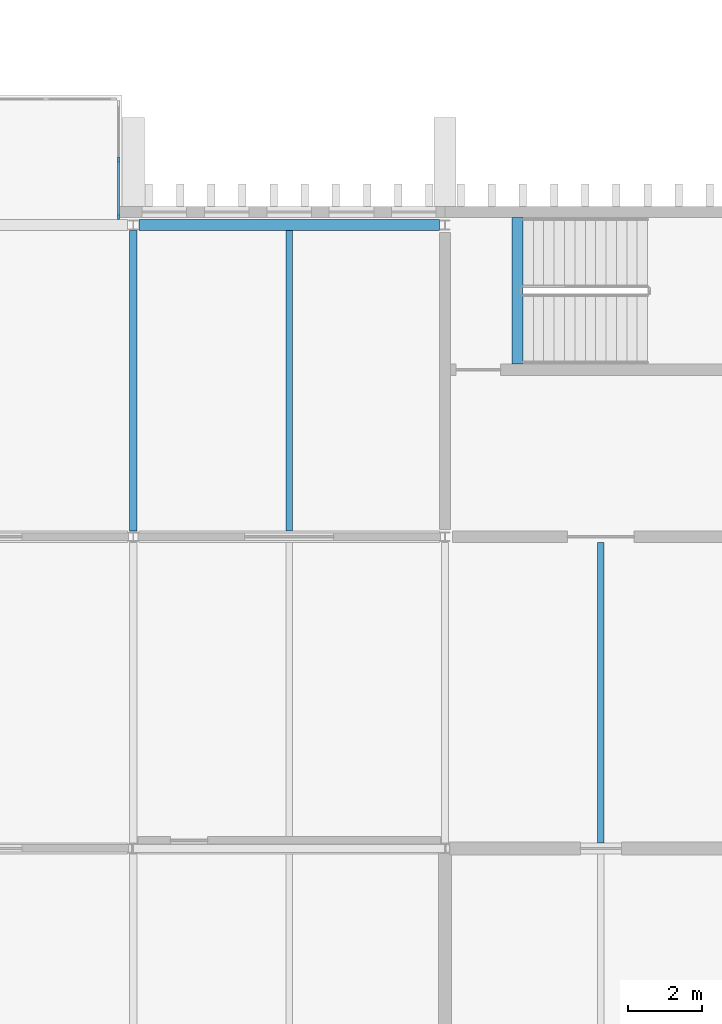
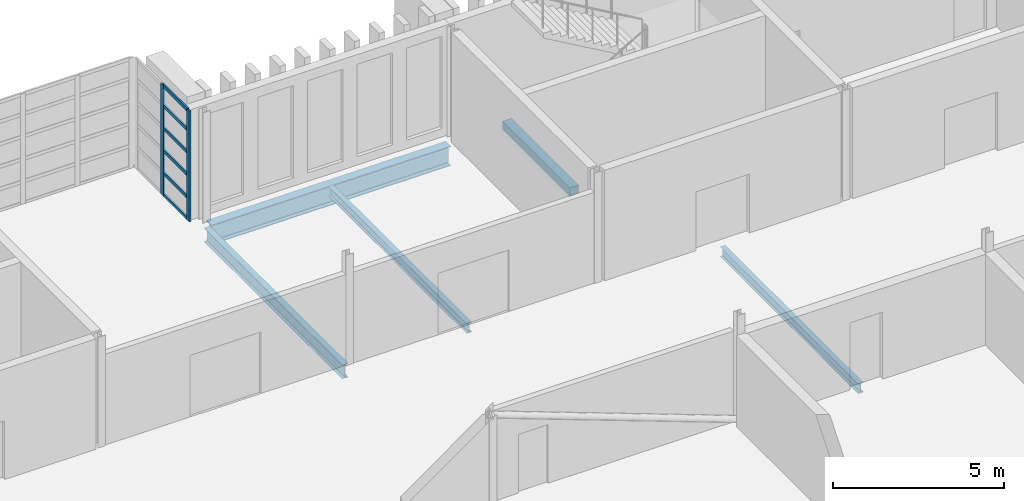
# One storey, part 17 of 88: 8 members, 5 beams, 1 element without a shape of its own.
"""IFC4 building model written with IfcOpenShell, lengths in metres."""

import ifcopenshell
import ifcopenshell.guid

model = None  # the IFC model being written
_history = None  # IfcOwnerHistory: only IFC2X3 demands one
_inside = {}  # id of a spatial element -> (the spatial element, [elements in it])
_under = {}  # id of a project, library or spatial element -> (it, [spatial elements below it])
_declared = {}  # id of a project -> (the project, [libraries it declares])
_typed = {}  # id of a type object -> (the type object, [elements of that type])
_made_of = {}  # id of a material, layer set ... -> (it, [elements and type objects made of it])


def new_model(schema):
    """Start an empty IFC model of exactly this schema.

    Asked for "IFC4X3", IfcOpenShell would pick the latest addendum, in which some entities
    have other attributes; the version numbers below select the first issue.
    IFC2X3 requires an IfcOwnerHistory on every rooted entity: one is made here for all.
    """
    global model, _history
    if schema == "IFC4X3":
        model = ifcopenshell.file(schema_version=(4, 3, 0, 0))
    else:
        model = ifcopenshell.file(schema=schema)
    _inside.clear()
    _under.clear()
    _declared.clear()
    _typed.clear()
    _made_of.clear()
    _history = None
    if model.schema == "IFC2X3":
        org = make("IfcOrganization", Name="unknown")
        user = make(
            "IfcPersonAndOrganization",
            ThePerson=make("IfcPerson", FamilyName="unknown"),
            TheOrganization=org,
        )
        app = make(
            "IfcApplication",
            ApplicationDeveloper=org,
            Version="unknown",
            ApplicationFullName="unknown",
            ApplicationIdentifier="unknown",
        )
        _history = make(
            "IfcOwnerHistory",
            OwningUser=user,
            OwningApplication=app,
            ChangeAction="ADDED",
            CreationDate=0,
        )
    return model


def make(cls, **values):
    """One entity of the class cls with the attributes given. An attribute that is None is left unset."""
    return model.create_entity(
        cls, **{name: value for name, value in values.items() if value is not None}
    )


def rooted(cls, **values):
    """An entity with a GlobalId (a new one), such as an element, a storey or a relation."""
    return make(cls, GlobalId=ifcopenshell.guid.new(), OwnerHistory=_history, **values)


def si_unit(unit_type, name, prefix=None):
    """IfcSIUnit, for example si_unit("LENGTHUNIT", "METRE", prefix="MILLI")."""
    return make("IfcSIUnit", UnitType=unit_type, Prefix=prefix, Name=name)


def assignment(units):
    """IfcUnitAssignment: the units of a project."""
    return None if units is None else make("IfcUnitAssignment", Units=units)


def point(xyz):
    """IfcCartesianPoint."""
    return None if xyz is None else make("IfcCartesianPoint", Coordinates=xyz)


def direction(xyz):
    """IfcDirection."""
    return None if xyz is None else make("IfcDirection", DirectionRatios=xyz)


def frame(location, z_axis=None, x_axis=None):
    """IfcAxis2Placement3D, a coordinate frame: its origin and axes. An axis left out is left unset."""
    return make(
        "IfcAxis2Placement3D",
        Location=point(location),
        Axis=direction(z_axis),
        RefDirection=direction(x_axis),
    )


def frame_2d(location, x_axis=None):
    """IfcAxis2Placement2D, a coordinate frame in the plane: its origin and x axis."""
    return make(
        "IfcAxis2Placement2D", Location=point(location), RefDirection=direction(x_axis)
    )


def origin():
    """The frame at (0, 0, 0) with its axes left unset."""
    return frame((0.0, 0.0, 0.0))


def origin_2d():
    """The frame at (0, 0) in the plane with its x axis left unset."""
    return frame_2d((0.0, 0.0))


def place(relative_to, where):
    """IfcLocalPlacement: puts the frame where relative to a parent placement (None: the world)."""
    return make(
        "IfcLocalPlacement", PlacementRelTo=relative_to, RelativePlacement=where
    )


def context(
    kind, dimensions, precision=None, world=None, true_north=None, identifier=None
):
    """IfcGeometricRepresentationContext, for example the 3D "Model" context."""
    return make(
        "IfcGeometricRepresentationContext",
        ContextIdentifier=identifier,
        ContextType=kind,
        CoordinateSpaceDimension=dimensions,
        Precision=precision,
        WorldCoordinateSystem=world,
        TrueNorth=true_north,
    )


def subcontext(parent, identifier, kind, view, scale=None):
    """IfcGeometricRepresentationSubContext, for example "Body" below "Model"."""
    return make(
        "IfcGeometricRepresentationSubContext",
        ContextIdentifier=identifier,
        ContextType=kind,
        ParentContext=parent,
        TargetScale=scale,
        TargetView=view,
    )


def project(units=None, contexts=None):
    """IfcProject with its units and contexts."""
    return rooted(
        "IfcProject",
        Name="project",
        RepresentationContexts=contexts,
        UnitsInContext=assignment(units),
    )


def spatial(cls, under=None, at=None, **own):
    """A site, building, storey or space (cls), placed at a placement, below another one or the project."""
    s = rooted(cls, ObjectPlacement=at, **own)
    if under is not None:
        _under.setdefault(under.id(), (under, []))[1].append(s)
    return s


def profile(cls, at=None, kind="AREA", **sizes):
    """A parametric profile (cls). Its sizes go by their IFC names, for example OverallWidth=200.0."""
    return make(cls, ProfileType=kind, Position=at, **sizes)


def rectangle(**sizes):
    """IfcRectangleProfileDef."""
    return profile("IfcRectangleProfileDef", **sizes)


def i_section(**sizes):
    """IfcIShapeProfileDef."""
    return profile("IfcIShapeProfileDef", **sizes)


def extrude(swept, where, along, depth):
    """IfcExtrudedAreaSolid: the profile swept, set in the frame where, extruded along a direction by depth."""
    return make(
        "IfcExtrudedAreaSolid",
        SweptArea=swept,
        Position=where,
        ExtrudedDirection=direction(along),
        Depth=depth,
    )


def shape(context_of_items, identifier, shape_type, items):
    """IfcShapeRepresentation: the items that make up one representation, for example the "Body"."""
    return make(
        "IfcShapeRepresentation",
        ContextOfItems=context_of_items,
        RepresentationIdentifier=identifier,
        RepresentationType=shape_type,
        Items=items,
    )


def material(Name=None, Category=None):
    """IfcMaterial."""
    return make("IfcMaterial", Name=Name, Category=Category)


def layer(
    of_material, thickness, ventilated=None, Name=None, Category=None, Priority=None
):
    """IfcMaterialLayer: one layer of a wall or slab, of a material (None: an air gap)."""
    return make(
        "IfcMaterialLayer",
        Material=of_material,
        LayerThickness=thickness,
        IsVentilated=ventilated,
        Name=Name,
        Category=Category,
        Priority=Priority,
    )


def layer_set(layers, Name=None):
    """IfcMaterialLayerSet."""
    return make("IfcMaterialLayerSet", MaterialLayers=layers, LayerSetName=Name)


def material_profile(
    of_material, cross_section, Name=None, Category=None, Priority=None
):
    """IfcMaterialProfile: a cross section and its material."""
    return make(
        "IfcMaterialProfile",
        Name=Name,
        Material=of_material,
        Profile=cross_section,
        Priority=Priority,
        Category=Category,
    )


def profile_set(profiles, Name=None, composite=None):
    """IfcMaterialProfileSet."""
    return make(
        "IfcMaterialProfileSet",
        Name=Name,
        MaterialProfiles=profiles,
        CompositeProfile=composite,
    )


def made_of(thing, what):
    """Note that an element or type object is made of a material, layer set ...; save() writes the relation."""
    if what is not None:
        _made_of.setdefault(what.id(), (what, []))[1].append(thing)
    return thing


def type_object(cls, material=None, **own):
    """A type object (cls), such as IfcWallType, which elements share."""
    return made_of(rooted(cls, **own), material)


def element(
    cls,
    number,
    at=None,
    inside=None,
    cuts=None,
    type_object=None,
    material=None,
    context=None,
    identifier="Body",
    shape_type=None,
    held_by="IfcProductDefinitionShape",
    body=None,
    shapes=None,
    **own,
):
    """One element of the class cls, such as IfcWall. Its Tag is "e" and its number.

    at: its placement. inside: the storey or other place that contains it. cuts: it is an
    opening in that element (IfcRelVoidsElement). A single representation is given by context,
    identifier, shape_type and body (its items); several are given by shapes. held_by: the class
    of the entity that holds the representations. save() writes the other relations.
    """
    e = rooted(cls, Tag="e%d" % number, ObjectPlacement=at, **own)
    if body is not None:
        shapes = [shape(context, identifier, shape_type, body)]
    if shapes is not None:
        e.Representation = make(held_by, Representations=shapes)
    if inside is not None:
        _inside.setdefault(inside.id(), (inside, []))[1].append(e)
    if cuts is not None:
        rooted(
            "IfcRelVoidsElement", RelatingBuildingElement=cuts, RelatedOpeningElement=e
        )
    if type_object is not None:
        _typed.setdefault(type_object.id(), (type_object, []))[1].append(e)
    return made_of(e, material)


def aggregate(whole, parts):
    """IfcRelAggregates: a whole, such as a stair, and the parts it consists of."""
    return rooted("IfcRelAggregates", RelatingObject=whole, RelatedObjects=parts)


def save(model, path):
    """Write the relations noted so far, then the file.

    IfcRelAggregates (storeys below a building ...), IfcRelContainedInSpatialStructure (elements
    in a storey), IfcRelDefinesByType, IfcRelAssociatesMaterial and IfcRelDeclares: one each for
    every whole, place, type object, material and project.
    """
    for whole, parts in _under.values():
        aggregate(whole, parts)
    for where, things in _inside.values():
        rooted(
            "IfcRelContainedInSpatialStructure",
            RelatedElements=things,
            RelatingStructure=where,
        )
    for kind, things in _typed.values():
        rooted("IfcRelDefinesByType", RelatedObjects=things, RelatingType=kind)
    for what, things in _made_of.values():
        rooted("IfcRelAssociatesMaterial", RelatedObjects=things, RelatingMaterial=what)
    for by, libraries in _declared.values():
        rooted("IfcRelDeclares", RelatingContext=by, RelatedDefinitions=libraries)
    model.write(path)


model = new_model("IFC4")

# Units and contexts
model_context = context("Model", 3, precision=1e-05, world=origin(), true_north=direction((0.0, 1.0)))
body_context = subcontext(model_context, "Body", "Model", "MODEL_VIEW")
ifc_project = project(units=[si_unit("LENGTHUNIT", "METRE"), si_unit("AREAUNIT", "SQUARE_METRE"), si_unit("VOLUMEUNIT", "CUBIC_METRE"), si_unit("PLANEANGLEUNIT", "RADIAN"), si_unit("MASSUNIT", "GRAM", prefix="KILO")], contexts=[model_context])

# Site, building, storey
site_placement = place(None, origin())
site = spatial("IfcSite", under=ifc_project, at=site_placement, CompositionType="ELEMENT")
building_placement = place(site_placement, origin())
building = spatial("IfcBuilding", under=site, at=building_placement, Name="Cresset Court Congress Hotel", CompositionType="ELEMENT")
storey_placement = place(building_placement, frame((0.0, 0.0, 14.39990234375)))
storey = spatial("IfcBuildingStorey", under=building, at=storey_placement, Name="L03", CompositionType="ELEMENT", Elevation=14.39990234375)

# Curtain wall, members
ifc_material_1 = material(Name="Aluminium frame with double glazing", Category="aluminium")
ifc_layer = layer(ifc_material_1, 0.199951171875)
ifc_layer_set = layer_set([ifc_layer], Name="Glazed box curtain wall 1680 module")
curtain_wall_type = type_object("IfcCurtainWallType", Name="Glazed box curtain wall 1680 module", PredefinedType="NOTDEFINED", material=ifc_layer_set)
curtain_wall_placement = place(storey_placement, origin())
curtain_wall = element("IfcCurtainWall", 1, at=curtain_wall_placement, inside=storey, type_object=curtain_wall_type, Name="Glazed box N0325 side", PredefinedType="NOTDEFINED")
ifc_material_2 = material(Name="Aluminium", Category="aluminium")
ifc_material_profile_1 = material_profile(ifc_material_2, rectangle(XDim=0.06005859375, YDim=0.159912109375, at=origin_2d()), Name="Box mullion 60x160")
ifc_profile_set_1 = profile_set([ifc_material_profile_1], Name="Aluminium")
member_type_1 = type_object("IfcMemberType", Name="Box mullion 60x160", PredefinedType="MULLION", material=ifc_profile_set_1)
member_1_placement = place(storey_placement, frame((24.800048828125, 25.429931640625, 0.0), z_axis=(0.0, 0.0, 1.0), x_axis=(-1.0, 0.0, 0.0)))
member_1 = element("IfcMember", 2, at=member_1_placement, type_object=member_type_1, Name="B-X1 mullion 1", PredefinedType="MULLION", context=body_context, shape_type="SweptSolid", body=[
    extrude(rectangle(XDim=0.06005859375, YDim=0.159912109375, at=origin_2d()), origin(), (0.0, 0.0, 1.0), 3.9501953125),
])
member_2_placement = place(storey_placement, frame((24.800048828125, 26.949951171875, 0.0), z_axis=(0.0, 0.0, 1.0), x_axis=(-1.0, 0.0, 0.0)))
member_2 = element("IfcMember", 3, at=member_2_placement, type_object=member_type_1, Name="B-X1 mullion 2", PredefinedType="MULLION", context=body_context, shape_type="SweptSolid", body=[
    extrude(rectangle(XDim=0.06005859375, YDim=0.159912109375, at=origin_2d()), origin(), (0.0, 0.0, 1.0), 3.9501953125),
])
ifc_material_3 = material(Name="Aluminium", Category="aluminium")
ifc_material_profile_2 = material_profile(ifc_material_3, rectangle(XDim=0.06005859375, YDim=0.1201171875, at=origin_2d()), Name="Box transom 60x120")
ifc_profile_set_2 = profile_set([ifc_material_profile_2], Name="Aluminium")
member_type_2 = type_object("IfcMemberType", Name="Box transom 60x120", PredefinedType="USERDEFINED", material=ifc_profile_set_2)
member_3_placement = place(storey_placement, frame((24.800048828125, 25.4599609375, 0.030029296875), z_axis=(0.0, 1.0, 0.0), x_axis=(-1.0, 0.0, 0.0)))
member_3 = element("IfcMember", 4, at=member_3_placement, type_object=member_type_2, Name="B-X1 transom 1.1", ObjectType="TRANSOM", PredefinedType="USERDEFINED", context=body_context, shape_type="SweptSolid", body=[
    extrude(rectangle(XDim=0.06005859375, YDim=0.1201171875, at=origin_2d()), origin(), (0.0, 0.0, 1.0), 1.4599609375),
])
member_4_placement = place(storey_placement, frame((24.800048828125, 25.4599609375, 0.80517578125), z_axis=(0.0, 1.0, 0.0), x_axis=(-1.0, 0.0, 0.0)))
member_4 = element("IfcMember", 5, at=member_4_placement, type_object=member_type_2, Name="B-X1 transom 1.2", ObjectType="TRANSOM", PredefinedType="USERDEFINED", context=body_context, shape_type="SweptSolid", body=[
    extrude(rectangle(XDim=0.06005859375, YDim=0.1201171875, at=origin_2d()), origin(), (0.0, 0.0, 1.0), 1.4599609375),
])
member_5_placement = place(storey_placement, frame((24.800048828125, 25.4599609375, 1.610107421875), z_axis=(0.0, 1.0, 0.0), x_axis=(-1.0, 0.0, 0.0)))
member_5 = element("IfcMember", 6, at=member_5_placement, type_object=member_type_2, Name="B-X1 transom 1.3", ObjectType="TRANSOM", PredefinedType="USERDEFINED", context=body_context, shape_type="SweptSolid", body=[
    extrude(rectangle(XDim=0.06005859375, YDim=0.1201171875, at=origin_2d()), origin(), (0.0, 0.0, 1.0), 1.4599609375),
])
member_6_placement = place(storey_placement, frame((24.800048828125, 25.4599609375, 2.4150390625), z_axis=(0.0, 1.0, 0.0), x_axis=(-1.0, 0.0, 0.0)))
member_6 = element("IfcMember", 7, at=member_6_placement, type_object=member_type_2, Name="B-X1 transom 1.4", ObjectType="TRANSOM", PredefinedType="USERDEFINED", context=body_context, shape_type="SweptSolid", body=[
    extrude(rectangle(XDim=0.06005859375, YDim=0.1201171875, at=origin_2d()), origin(), (0.0, 0.0, 1.0), 1.4599609375),
])
member_7_placement = place(storey_placement, frame((24.800048828125, 25.4599609375, 3.22021484375), z_axis=(0.0, 1.0, 0.0), x_axis=(-1.0, 0.0, 0.0)))
member_7 = element("IfcMember", 8, at=member_7_placement, type_object=member_type_2, Name="B-X1 transom 1.5", ObjectType="TRANSOM", PredefinedType="USERDEFINED", context=body_context, shape_type="SweptSolid", body=[
    extrude(rectangle(XDim=0.06005859375, YDim=0.1201171875, at=origin_2d()), origin(), (0.0, 0.0, 1.0), 1.4599609375),
])
member_8_placement = place(storey_placement, frame((24.800048828125, 25.4599609375, 3.920166015625), z_axis=(0.0, 1.0, 0.0), x_axis=(-1.0, 0.0, 0.0)))
member_8 = element("IfcMember", 9, at=member_8_placement, type_object=member_type_2, Name="B-X1 transom 1.6", ObjectType="TRANSOM", PredefinedType="USERDEFINED", context=body_context, shape_type="SweptSolid", body=[
    extrude(rectangle(XDim=0.06005859375, YDim=0.1201171875, at=origin_2d()), origin(), (0.0, 0.0, 1.0), 1.4599609375),
])
aggregate(curtain_wall, [member_1, member_2, member_3, member_4, member_5, member_6, member_7, member_8])

# Beams
ifc_material_4 = material(Name="Concrete C40", Category="concrete")
ifc_material_profile_3 = material_profile(ifc_material_4, rectangle(XDim=0.300048828125, YDim=0.300048828125, at=origin_2d()), Name="RC300x300")
ifc_profile_set_3 = profile_set([ifc_material_profile_3], Name="Concrete C40")
beam_type_1 = type_object("IfcBeamType", Name="Stair trimmer beam RC300x300", PredefinedType="BEAM", material=ifc_profile_set_3)
beam_1_placement = place(storey_placement, frame((35.550048828125, 21.449951171875, -0.2998046875), z_axis=(0.0, 1.0, 0.0), x_axis=(-1.0, 0.0, 0.0)))
element("IfcBeam", 10, at=beam_1_placement, inside=storey, type_object=beam_type_1, Name="Trimmer beam ST-B2 L03", PredefinedType="BEAM", context=body_context, shape_type="SweptSolid", body=[
    extrude(rectangle(XDim=0.300048828125, YDim=0.300048828125, at=origin_2d()), origin(), (0.0, 0.0, 1.0), 3.949951171875),
])
ifc_material_5 = material(Name="Structural steel Q355B", Category="steel")
ifc_material_profile_4 = material_profile(ifc_material_5, i_section(OverallWidth=0.199951171875, OverallDepth=0.5, WebThickness=0.010009765625, FlangeThickness=0.01611328125, FilletRadius=0.012939453125, at=origin_2d()), Name="HN500x200x10x16")
ifc_profile_set_4 = profile_set([ifc_material_profile_4], Name="Structural steel Q355B")
beam_type_2 = type_object("IfcBeamType", Name="Steel beam HN500x200x10x16", PredefinedType="BEAM", material=ifc_profile_set_4)
beam_2_placement = place(storey_placement, frame((25.199951171875, 16.949951171875, -0.39990234375), z_axis=(0.0, 1.0, 0.0), x_axis=(-1.0, 0.0, 0.0)))
element("IfcBeam", 11, at=beam_2_placement, inside=storey, type_object=beam_type_2, Name="B.by.L03.04C", PredefinedType="BEAM", context=body_context, shape_type="SweptSolid", body=[
    extrude(i_section(OverallWidth=0.199951171875, OverallDepth=0.5, WebThickness=0.010009765625, FlangeThickness=0.01611328125, FilletRadius=0.012939453125, at=origin_2d()), origin(), (0.0, 0.0, 1.0), 8.10009765625),
])
ifc_material_6 = material(Name="Structural steel Q355B", Category="steel")
ifc_material_profile_5 = material_profile(ifc_material_6, i_section(OverallWidth=0.300048828125, OverallDepth=0.699951171875, WebThickness=0.012939453125, FlangeThickness=0.02392578125, FilletRadius=0.01806640625, at=origin_2d()), Name="HN700x300x13x24")
ifc_profile_set_5 = profile_set([ifc_material_profile_5], Name="Structural steel Q355B")
beam_type_3 = type_object("IfcBeamType", Name="Steel beam HN700x300x13x24", PredefinedType="BEAM", material=ifc_profile_set_5)
beam_3_placement = place(storey_placement, frame((25.35009765625, 25.199951171875, -0.5), z_axis=(1.0, 0.0, 0.0), x_axis=(0.0, 1.0, 0.0)))
element("IfcBeam", 12, at=beam_3_placement, inside=storey, type_object=beam_type_3, Name="B.bx.L03.D04", PredefinedType="BEAM", context=body_context, shape_type="SweptSolid", body=[
    extrude(i_section(OverallWidth=0.300048828125, OverallDepth=0.699951171875, WebThickness=0.012939453125, FlangeThickness=0.02392578125, FilletRadius=0.01806640625, at=origin_2d()), origin(), (0.0, 0.0, 1.0), 8.099853515625),
])
ifc_material_7 = material(Name="Structural steel Q355B", Category="steel")
ifc_material_profile_6 = material_profile(ifc_material_7, i_section(OverallWidth=0.175048828125, OverallDepth=0.35009765625, WebThickness=0.007080078125, FlangeThickness=0.010986328125, FilletRadius=0.012939453125, at=origin_2d()), Name="HN350x175x7x11")
ifc_profile_set_6 = profile_set([ifc_material_profile_6], Name="Structural steel Q355B")
beam_type_4 = type_object("IfcBeamType", Name="Steel joist HN350x175x7x11", PredefinedType="JOIST", material=ifc_profile_set_6)
beam_4_placement = place(storey_placement, frame((29.39990234375, 16.949951171875, -0.324951171875), z_axis=(0.0, 1.0, 0.0), x_axis=(-1.0, 0.0, 0.0)))
element("IfcBeam", 13, at=beam_4_placement, inside=storey, type_object=beam_type_4, Name="B.bj.L03.04C", PredefinedType="JOIST", context=body_context, shape_type="SweptSolid", body=[
    extrude(i_section(OverallWidth=0.175048828125, OverallDepth=0.35009765625, WebThickness=0.007080078125, FlangeThickness=0.010986328125, FilletRadius=0.012939453125, at=origin_2d()), origin(), (0.0, 0.0, 1.0), 8.10009765625),
])
beam_5_placement = place(storey_placement, frame((37.800048828125, 8.550048828125, -0.324951171875), z_axis=(0.0, 1.0, 0.0), x_axis=(-1.0, 0.0, 0.0)))
element("IfcBeam", 14, at=beam_5_placement, inside=storey, type_object=beam_type_4, Name="B.bj.L03.05B", PredefinedType="JOIST", context=body_context, shape_type="SweptSolid", body=[
    extrude(i_section(OverallWidth=0.175048828125, OverallDepth=0.35009765625, WebThickness=0.007080078125, FlangeThickness=0.010986328125, FilletRadius=0.012939453125, at=origin_2d()), origin(), (0.0, 0.0, 1.0), 8.099853515625),
])

save(model, "model.ifc")
